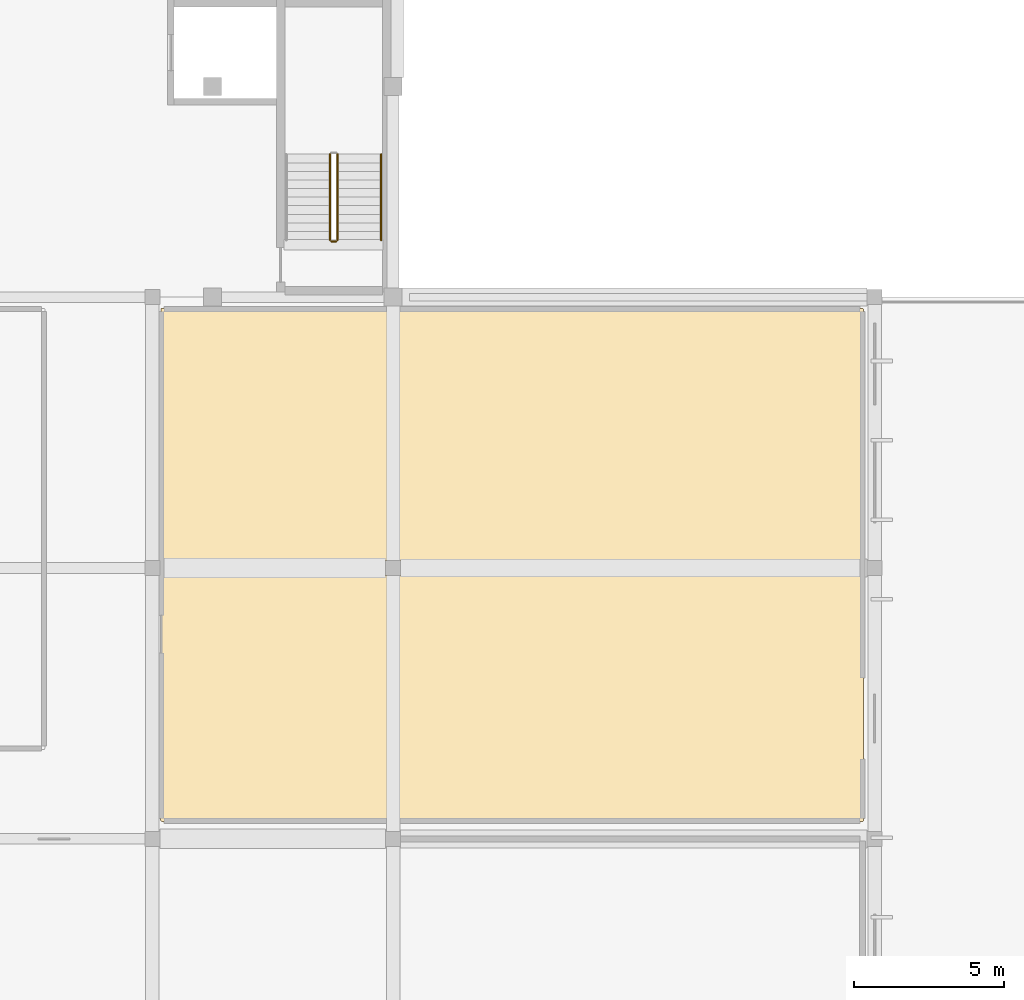
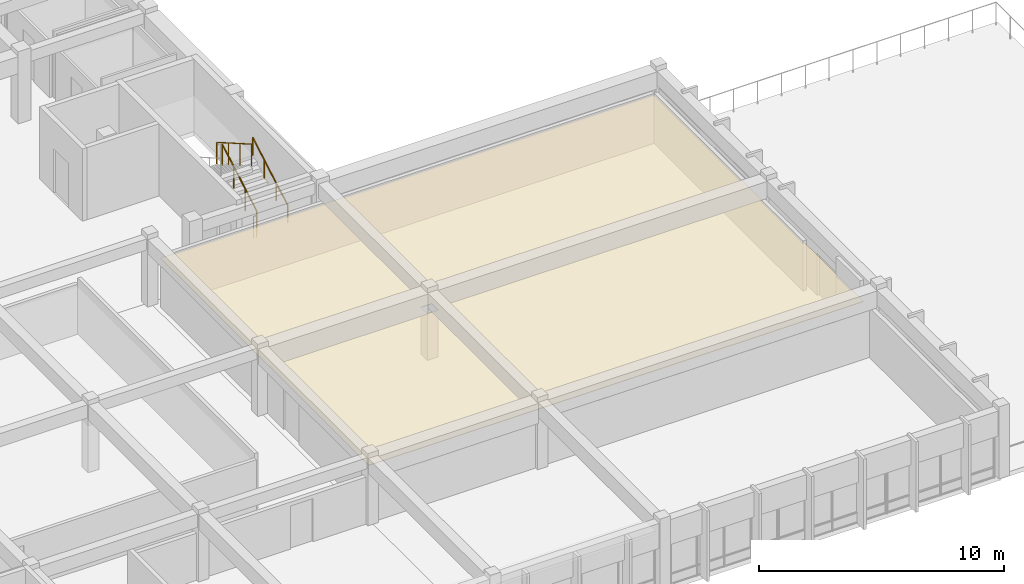
# One storey, part 26 of 33: 4 railings, 1 covering.
"""IFC4 building model written with IfcOpenShell, lengths in metres."""

import ifcopenshell
import ifcopenshell.guid

model = None  # the IFC model being written
_history = None  # IfcOwnerHistory: only IFC2X3 demands one
_inside = {}  # id of a spatial element -> (the spatial element, [elements in it])
_under = {}  # id of a project, library or spatial element -> (it, [spatial elements below it])
_declared = {}  # id of a project -> (the project, [libraries it declares])
_typed = {}  # id of a type object -> (the type object, [elements of that type])
_made_of = {}  # id of a material, layer set ... -> (it, [elements and type objects made of it])


def new_model(schema):
    """Start an empty IFC model of exactly this schema.

    Asked for "IFC4X3", IfcOpenShell would pick the latest addendum, in which some entities
    have other attributes; the version numbers below select the first issue.
    IFC2X3 requires an IfcOwnerHistory on every rooted entity: one is made here for all.
    """
    global model, _history
    if schema == "IFC4X3":
        model = ifcopenshell.file(schema_version=(4, 3, 0, 0))
    else:
        model = ifcopenshell.file(schema=schema)
    _inside.clear()
    _under.clear()
    _declared.clear()
    _typed.clear()
    _made_of.clear()
    _history = None
    if model.schema == "IFC2X3":
        org = make("IfcOrganization", Name="unknown")
        user = make(
            "IfcPersonAndOrganization",
            ThePerson=make("IfcPerson", FamilyName="unknown"),
            TheOrganization=org,
        )
        app = make(
            "IfcApplication",
            ApplicationDeveloper=org,
            Version="unknown",
            ApplicationFullName="unknown",
            ApplicationIdentifier="unknown",
        )
        _history = make(
            "IfcOwnerHistory",
            OwningUser=user,
            OwningApplication=app,
            ChangeAction="ADDED",
            CreationDate=0,
        )
    return model


def make(cls, **values):
    """One entity of the class cls with the attributes given. An attribute that is None is left unset."""
    return model.create_entity(
        cls, **{name: value for name, value in values.items() if value is not None}
    )


def rooted(cls, **values):
    """An entity with a GlobalId (a new one), such as an element, a storey or a relation."""
    return make(cls, GlobalId=ifcopenshell.guid.new(), OwnerHistory=_history, **values)


def si_unit(unit_type, name, prefix=None):
    """IfcSIUnit, for example si_unit("LENGTHUNIT", "METRE", prefix="MILLI")."""
    return make("IfcSIUnit", UnitType=unit_type, Prefix=prefix, Name=name)


def assignment(units):
    """IfcUnitAssignment: the units of a project."""
    return None if units is None else make("IfcUnitAssignment", Units=units)


def point(xyz):
    """IfcCartesianPoint."""
    return None if xyz is None else make("IfcCartesianPoint", Coordinates=xyz)


def direction(xyz):
    """IfcDirection."""
    return None if xyz is None else make("IfcDirection", DirectionRatios=xyz)


def frame(location, z_axis=None, x_axis=None):
    """IfcAxis2Placement3D, a coordinate frame: its origin and axes. An axis left out is left unset."""
    return make(
        "IfcAxis2Placement3D",
        Location=point(location),
        Axis=direction(z_axis),
        RefDirection=direction(x_axis),
    )


def frame_2d(location, x_axis=None):
    """IfcAxis2Placement2D, a coordinate frame in the plane: its origin and x axis."""
    return make(
        "IfcAxis2Placement2D", Location=point(location), RefDirection=direction(x_axis)
    )


def origin():
    """The frame at (0, 0, 0) with its axes left unset."""
    return frame((0.0, 0.0, 0.0))


def origin_2d():
    """The frame at (0, 0) in the plane with its x axis left unset."""
    return frame_2d((0.0, 0.0))


def place(relative_to, where):
    """IfcLocalPlacement: puts the frame where relative to a parent placement (None: the world)."""
    return make(
        "IfcLocalPlacement", PlacementRelTo=relative_to, RelativePlacement=where
    )


def context(
    kind, dimensions, precision=None, world=None, true_north=None, identifier=None
):
    """IfcGeometricRepresentationContext, for example the 3D "Model" context."""
    return make(
        "IfcGeometricRepresentationContext",
        ContextIdentifier=identifier,
        ContextType=kind,
        CoordinateSpaceDimension=dimensions,
        Precision=precision,
        WorldCoordinateSystem=world,
        TrueNorth=true_north,
    )


def subcontext(parent, identifier, kind, view, scale=None):
    """IfcGeometricRepresentationSubContext, for example "Body" below "Model"."""
    return make(
        "IfcGeometricRepresentationSubContext",
        ContextIdentifier=identifier,
        ContextType=kind,
        ParentContext=parent,
        TargetScale=scale,
        TargetView=view,
    )


def project(units=None, contexts=None):
    """IfcProject with its units and contexts."""
    return rooted(
        "IfcProject",
        Name="project",
        RepresentationContexts=contexts,
        UnitsInContext=assignment(units),
    )


def spatial(cls, under=None, at=None, **own):
    """A site, building, storey or space (cls), placed at a placement, below another one or the project."""
    s = rooted(cls, ObjectPlacement=at, **own)
    if under is not None:
        _under.setdefault(under.id(), (under, []))[1].append(s)
    return s


def polyline(points):
    """IfcPolyline through the points."""
    return make("IfcPolyline", Points=[point(p) for p in points])


def profile(cls, at=None, kind="AREA", **sizes):
    """A parametric profile (cls). Its sizes go by their IFC names, for example OverallWidth=200.0."""
    return make(cls, ProfileType=kind, Position=at, **sizes)


def circle(**sizes):
    """IfcCircleProfileDef."""
    return profile("IfcCircleProfileDef", **sizes)


def outline(outer, holes=None, kind="AREA"):
    """IfcArbitraryClosedProfileDef: a profile drawn as a closed curve; with holes, ...WithVoids."""
    if holes is None:
        return make("IfcArbitraryClosedProfileDef", ProfileType=kind, OuterCurve=outer)
    return make(
        "IfcArbitraryProfileDefWithVoids",
        ProfileType=kind,
        OuterCurve=outer,
        InnerCurves=holes,
    )


def extrude(swept, where, along, depth):
    """IfcExtrudedAreaSolid: the profile swept, set in the frame where, extruded along a direction by depth."""
    return make(
        "IfcExtrudedAreaSolid",
        SweptArea=swept,
        Position=where,
        ExtrudedDirection=direction(along),
        Depth=depth,
    )


def shape(context_of_items, identifier, shape_type, items):
    """IfcShapeRepresentation: the items that make up one representation, for example the "Body"."""
    return make(
        "IfcShapeRepresentation",
        ContextOfItems=context_of_items,
        RepresentationIdentifier=identifier,
        RepresentationType=shape_type,
        Items=items,
    )


def material(Name=None, Category=None):
    """IfcMaterial."""
    return make("IfcMaterial", Name=Name, Category=Category)


def layer(
    of_material, thickness, ventilated=None, Name=None, Category=None, Priority=None
):
    """IfcMaterialLayer: one layer of a wall or slab, of a material (None: an air gap)."""
    return make(
        "IfcMaterialLayer",
        Material=of_material,
        LayerThickness=thickness,
        IsVentilated=ventilated,
        Name=Name,
        Category=Category,
        Priority=Priority,
    )


def layer_set(layers, Name=None):
    """IfcMaterialLayerSet."""
    return make("IfcMaterialLayerSet", MaterialLayers=layers, LayerSetName=Name)


def made_of(thing, what):
    """Note that an element or type object is made of a material, layer set ...; save() writes the relation."""
    if what is not None:
        _made_of.setdefault(what.id(), (what, []))[1].append(thing)
    return thing


def type_object(cls, material=None, **own):
    """A type object (cls), such as IfcWallType, which elements share."""
    return made_of(rooted(cls, **own), material)


def element(
    cls,
    number,
    at=None,
    inside=None,
    cuts=None,
    type_object=None,
    material=None,
    context=None,
    identifier="Body",
    shape_type=None,
    held_by="IfcProductDefinitionShape",
    body=None,
    shapes=None,
    **own,
):
    """One element of the class cls, such as IfcWall. Its Tag is "e" and its number.

    at: its placement. inside: the storey or other place that contains it. cuts: it is an
    opening in that element (IfcRelVoidsElement). A single representation is given by context,
    identifier, shape_type and body (its items); several are given by shapes. held_by: the class
    of the entity that holds the representations. save() writes the other relations.
    """
    e = rooted(cls, Tag="e%d" % number, ObjectPlacement=at, **own)
    if body is not None:
        shapes = [shape(context, identifier, shape_type, body)]
    if shapes is not None:
        e.Representation = make(held_by, Representations=shapes)
    if inside is not None:
        _inside.setdefault(inside.id(), (inside, []))[1].append(e)
    if cuts is not None:
        rooted(
            "IfcRelVoidsElement", RelatingBuildingElement=cuts, RelatedOpeningElement=e
        )
    if type_object is not None:
        _typed.setdefault(type_object.id(), (type_object, []))[1].append(e)
    return made_of(e, material)


def aggregate(whole, parts):
    """IfcRelAggregates: a whole, such as a stair, and the parts it consists of."""
    return rooted("IfcRelAggregates", RelatingObject=whole, RelatedObjects=parts)


def save(model, path):
    """Write the relations noted so far, then the file.

    IfcRelAggregates (storeys below a building ...), IfcRelContainedInSpatialStructure (elements
    in a storey), IfcRelDefinesByType, IfcRelAssociatesMaterial and IfcRelDeclares: one each for
    every whole, place, type object, material and project.
    """
    for whole, parts in _under.values():
        aggregate(whole, parts)
    for where, things in _inside.values():
        rooted(
            "IfcRelContainedInSpatialStructure",
            RelatedElements=things,
            RelatingStructure=where,
        )
    for kind, things in _typed.values():
        rooted("IfcRelDefinesByType", RelatedObjects=things, RelatingType=kind)
    for what, things in _made_of.values():
        rooted("IfcRelAssociatesMaterial", RelatedObjects=things, RelatingMaterial=what)
    for by, libraries in _declared.values():
        rooted("IfcRelDeclares", RelatingContext=by, RelatedDefinitions=libraries)
    model.write(path)


model = new_model("IFC4")

# Units and contexts
model_context = context("Model", 3, precision=1e-05, world=origin(), true_north=direction((0.0, 1.0)))
body_context = subcontext(model_context, "Body", "Model", "MODEL_VIEW")
ifc_project = project(units=[si_unit("LENGTHUNIT", "METRE"), si_unit("AREAUNIT", "SQUARE_METRE"), si_unit("VOLUMEUNIT", "CUBIC_METRE"), si_unit("PLANEANGLEUNIT", "RADIAN"), si_unit("MASSUNIT", "GRAM", prefix="KILO")], contexts=[model_context])

# Site, building, storey
site_placement = place(None, origin())
site = spatial("IfcSite", under=ifc_project, at=site_placement, CompositionType="ELEMENT")
building_placement = place(site_placement, origin())
building = spatial("IfcBuilding", under=site, at=building_placement, Name="Larkveld Mobility Hub", CompositionType="ELEMENT")
storey_placement = place(building_placement, frame((0.0, 0.0, 15.60009765625)))
storey = spatial("IfcBuildingStorey", under=building, at=storey_placement, Name="L04", CompositionType="ELEMENT", Elevation=15.60009765625)

# Covering
ifc_material_1 = material(Name="Moisture-resistant gypsum board ceiling", Category="masonry")
ifc_layer = layer(ifc_material_1, 0.02490234375, Name="Moisture-resistant gypsum board ceiling", Category="masonry")
ifc_layer_set = layer_set([ifc_layer], Name="Moisture-resistant gypsum board ceiling")
covering_type = type_object("IfcCoveringType", Name="CV-CLG-025", PredefinedType="CEILING", material=ifc_layer_set)
covering_placement = place(storey_placement, frame((0.0, 0.0, 2.324951171875)))
element("IfcCovering", 1, at=covering_placement, inside=storey, type_object=covering_type, Name="Operations Staff Wellness Cafe and Lounge Acoustic Ceiling 051", PredefinedType="CEILING", context=body_context, shape_type="SweptSolid", body=[
    extrude(outline(polyline([(144.31689453125, 10.570068359375), (144.31396484375, 10.571044921875), (144.31103515625, 10.571044921875), (144.30908203125, 10.572021484375), (144.305908203125, 10.573974609375), (144.302978515625, 10.574951171875), (144.301025390625, 10.576904296875), (144.299072265625, 10.5791015625), (144.279052734375, 10.59912109375), (144.277099609375, 10.60107421875), (144.27490234375, 10.60302734375), (144.27392578125, 10.60595703125), (144.27197265625, 10.60888671875), (144.27099609375, 10.611083984375), (144.27099609375, 10.614013671875), (144.27001953125, 10.616943359375), (144.27001953125, 10.6201171875), (144.279052734375, 27.596923828125), (144.279052734375, 27.60009765625), (144.279052734375, 27.60205078125), (144.280029296875, 27.60498046875), (144.281005859375, 27.60791015625), (144.281982421875, 27.611083984375), (144.283935546875, 27.613037109375), (144.285888671875, 27.615966796875), (144.2880859375, 27.617919921875), (144.2900390625, 27.6201171875), (144.2919921875, 27.6220703125), (144.294921875, 27.623046875), (144.297119140625, 27.6240234375), (144.300048828125, 27.625), (144.302978515625, 27.6259765625), (144.305908203125, 27.6259765625), (144.30908203125, 27.626953125), (167.596923828125, 27.62109375), (167.60009765625, 27.62109375), (167.60205078125, 27.62109375), (167.60498046875, 27.6201171875), (167.60791015625, 27.618896484375), (167.611083984375, 27.617919921875), (167.613037109375, 27.615966796875), (167.615966796875, 27.614013671875), (167.617919921875, 27.612060546875), (167.6201171875, 27.610107421875), (167.6220703125, 27.60791015625), (167.623046875, 27.60498046875), (167.6240234375, 27.60302734375), (167.625, 27.60009765625), (167.6259765625, 27.596923828125), (167.6259765625, 27.593994140625), (167.626953125, 27.591064453125), (167.62109375, 10.60302734375), (167.62109375, 10.60009765625), (167.62109375, 10.597900390625), (167.6201171875, 10.594970703125), (167.618896484375, 10.592041015625), (167.617919921875, 10.589111328125), (167.615966796875, 10.5869140625), (167.614013671875, 10.583984375), (167.612060546875, 10.58203125), (167.610107421875, 10.580078125), (167.60791015625, 10.577880859375), (167.60498046875, 10.576904296875), (167.60302734375, 10.575927734375), (167.60009765625, 10.574951171875), (167.596923828125, 10.573974609375), (167.593994140625, 10.573974609375), (167.591064453125, 10.572998046875), (144.320068359375, 10.570068359375), (144.31689453125, 10.570068359375)]), holes=[polyline([(152.2548828125, 18.7451171875), (152.2548828125, 19.2548828125), (151.7451171875, 19.2548828125), (151.7451171875, 18.7451171875), (152.2548828125, 18.7451171875)])]), origin(), (0.0, 0.0, 1.0), 0.02490234375),
])

# Railings
ifc_material_2 = material(Name="Galvanized Steel S355JR balustrade", Category="steel")
railing_type_1 = type_object("IfcRailingType", Name="RL-GRD-1100", PredefinedType="GUARDRAIL", material=ifc_material_2)
railing_1_placement = place(storey_placement, frame((150.14990234375, 29.89990234375, 0.16357421875)))
element("IfcRailing", 2, at=railing_1_placement, inside=storey, type_object=railing_type_1, Name="L04 ST1 stair guard 1", PredefinedType="GUARDRAIL", context=body_context, shape_type="SweptSolid", body=[
    extrude(circle(Radius=0.02392578125, at=origin_2d()), frame((0.0, 0.0, 1.076171875), z_axis=(0.0, 0.867244780686, 0.497882004468), x_axis=(-1.0, 0.0, 0.0)), (0.0, 0.0, 1.0), 3.286376953125),
    extrude(circle(Radius=0.02099609375, at=origin_2d()), origin(), (0.0, 0.0, 1.0), 1.052001953125),
    extrude(circle(Radius=0.02099609375, at=origin_2d()), frame((0.0, 0.949951171875, 0.54541015625)), (0.0, 0.0, 1.0), 1.052001953125),
    extrude(circle(Radius=0.02099609375, at=origin_2d()), frame((0.0, 1.900146484375, 1.0908203125)), (0.0, 0.0, 1.0), 1.052001953125),
    extrude(circle(Radius=0.02099609375, at=origin_2d()), frame((0.0, 2.85009765625, 1.63623046875)), (0.0, 0.0, 1.0), 1.052001953125),
])
railing_2_placement = place(storey_placement, frame((149.89990234375, 32.75, 1.963623046875)))
element("IfcRailing", 3, at=railing_2_placement, inside=storey, type_object=railing_type_1, Name="L04 ST1 stair guard 3", PredefinedType="GUARDRAIL", context=body_context, shape_type="SweptSolid", body=[
    extrude(circle(Radius=0.02392578125, at=origin_2d()), frame((0.0, 0.0, 1.076171875), z_axis=(0.0, -0.867244780686, 0.497882004468), x_axis=(1.0, 0.0, 0.0)), (0.0, 0.0, 1.0), 3.286376953125),
    extrude(circle(Radius=0.02099609375, at=origin_2d()), origin(), (0.0, 0.0, 1.0), 1.052001953125),
    extrude(circle(Radius=0.02099609375, at=origin_2d()), frame((0.0, -0.949951171875, 0.54541015625)), (0.0, 0.0, 1.0), 1.052001953125),
    extrude(circle(Radius=0.02099609375, at=origin_2d()), frame((0.0, -1.900146484375, 1.0908203125)), (0.0, 0.0, 1.0), 1.052001953125),
    extrude(circle(Radius=0.02099609375, at=origin_2d()), frame((0.0, -2.85009765625, 1.63623046875)), (0.0, 0.0, 1.0), 1.052001953125),
])
railing_3_placement = place(storey_placement, frame((150.10009765625, 29.85009765625, 0.0)))
element("IfcRailing", 4, at=railing_3_placement, inside=storey, type_object=railing_type_1, Name="L04 ST1 stair guard 4", PredefinedType="GUARDRAIL", context=body_context, shape_type="SweptSolid", body=[
    extrude(circle(Radius=0.02392578125, at=origin_2d()), frame((0.0, 0.0, 1.076171875), z_axis=(-1.0, 0.0, 0.0), x_axis=(0.0, -1.0, 0.0)), (0.0, 0.0, 1.0), 0.150146484375),
    extrude(circle(Radius=0.02099609375, at=origin_2d()), origin(), (0.0, 0.0, 1.0), 1.052001953125),
    extrude(circle(Radius=0.02099609375, at=origin_2d()), frame((-0.150146484375, 0.0, 0.0)), (0.0, 0.0, 1.0), 1.052001953125),
])
ifc_material_3 = material(Name="Brushed Steel S355JR tubular handrail", Category="steel")
railing_type_2 = type_object("IfcRailingType", Name="RL-HND-0900", PredefinedType="HANDRAIL", material=ifc_material_3)
railing_4_placement = place(storey_placement, frame((151.60009765625, 29.89990234375, 0.16357421875)))
element("IfcRailing", 5, at=railing_4_placement, inside=storey, type_object=railing_type_2, Name="L04 ST1 stair handrail 1", PredefinedType="HANDRAIL", context=body_context, shape_type="SweptSolid", body=[
    extrude(circle(Radius=0.02392578125, at=origin_2d()), frame((0.0, 0.0, 0.8759765625), z_axis=(0.0, 0.867244780686, 0.497882004468), x_axis=(-1.0, 0.0, 0.0)), (0.0, 0.0, 1.0), 3.286376953125),
    extrude(circle(Radius=0.02099609375, at=origin_2d()), origin(), (0.0, 0.0, 1.0), 0.851806640625),
    extrude(circle(Radius=0.02099609375, at=origin_2d()), frame((0.0, 0.949951171875, 0.54541015625)), (0.0, 0.0, 1.0), 0.851806640625),
    extrude(circle(Radius=0.02099609375, at=origin_2d()), frame((0.0, 1.900146484375, 1.0908203125)), (0.0, 0.0, 1.0), 0.851806640625),
    extrude(circle(Radius=0.02099609375, at=origin_2d()), frame((0.0, 2.85009765625, 1.63623046875)), (0.0, 0.0, 1.0), 0.851806640625),
])

save(model, "model.ifc")
